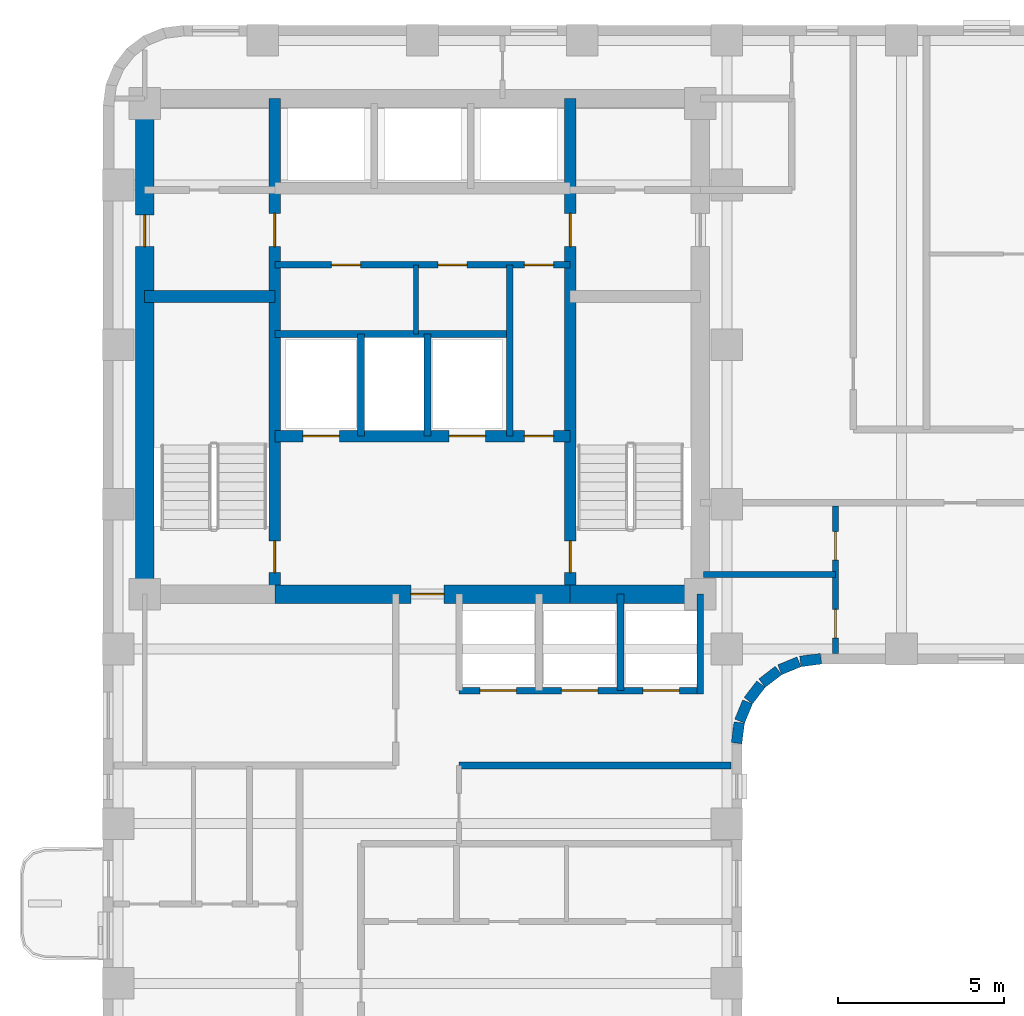
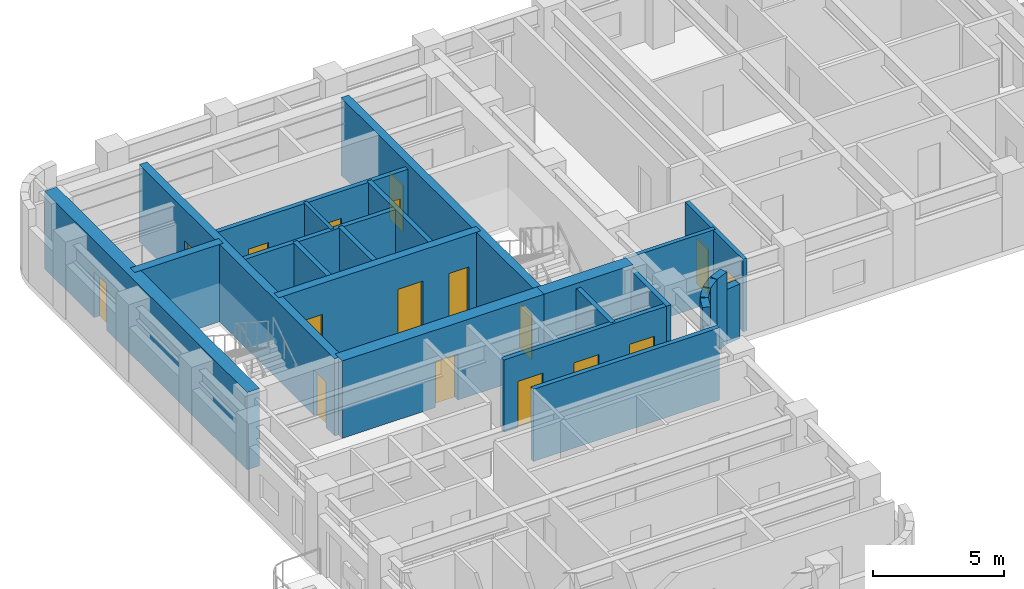
# One storey, part 4 of 9: 25 walls, 17 doors, 17 openings.
"""IFC4 building model written with IfcOpenShell, lengths in metres."""

from ifc_helpers import new_model, si_unit, direction, frame, frame_2d, origin, place, context, subcontext, project, spatial, rectangle, extrude, material, layer, layer_set, type_object, element, fill, save


model = new_model("IFC4")

# Units and contexts
model_context = context("Model", 3, precision=1e-05, world=origin(), true_north=direction((0.0, 1.0)))
body_context = subcontext(model_context, "Body", "Model", "MODEL_VIEW")
ifc_project = project(units=[si_unit("LENGTHUNIT", "METRE"), si_unit("AREAUNIT", "SQUARE_METRE"), si_unit("VOLUMEUNIT", "CUBIC_METRE"), si_unit("PLANEANGLEUNIT", "RADIAN"), si_unit("MASSUNIT", "GRAM", prefix="KILO")], contexts=[model_context])

# Site, building, storey
site_placement = place(None, origin())
site = spatial("IfcSite", under=ifc_project, at=site_placement, CompositionType="ELEMENT")
building_placement = place(site_placement, origin())
building = spatial("IfcBuilding", under=site, at=building_placement, Name="Orvandelia Arch Residences", CompositionType="ELEMENT")
storey_placement = place(building_placement, frame((0.0, 0.0, 128.800048828125)))
storey = spatial("IfcBuildingStorey", under=building, at=storey_placement, Name="L33", CompositionType="ELEMENT", Elevation=128.800048828125)

# Wall, openings, doors
ifc_material_1 = material(Name="Concrete C50/60", Category="concrete")
ifc_layer_1 = layer(ifc_material_1, 0.35009765625, Name="Concrete C50/60", Category="concrete")
ifc_layer_set_1 = layer_set([ifc_layer_1], Name="Concrete C50/60")
wall_type_1 = type_object("IfcWallType", Name="WL-CORE-350", PredefinedType="SHEAR", material=ifc_layer_set_1)
wall_1_placement = place(storey_placement, frame((9.9599609375, 30.89990234375, 0.0), z_axis=(0.0, 0.0, 1.0), x_axis=(0.0, 1.0, 0.0)))
wall_1 = element("IfcWall", 1, at=wall_1_placement, inside=storey, type_object=wall_type_1, Name="Core Shear Wall L33-WEB1", PredefinedType="SHEAR", context=body_context, shape_type="SweptSolid", body=[
    extrude(rectangle(XDim=14.900146484375, YDim=0.35009765625, at=frame_2d((7.4501953125, 0.0))), origin(), (0.0, 0.0, 1.0), 3.599853515625),
])
opening_1_placement = place(wall_1_placement, frame((0.64990234375, 0.0, 0.0)))
opening_1 = element("IfcOpeningElement", 2, at=opening_1_placement, cuts=wall_1, Name="Opening D7", PredefinedType="OPENING", context=body_context, shape_type="SweptSolid", body=[
    extrude(rectangle(XDim=0.949951171875, YDim=2.10009765625, at=frame_2d((0.47509765625, 1.050048828125))), frame((0.0, 0.18505859375, 0.0), z_axis=(0.0, -1.0, 0.0), x_axis=(1.0, 0.0, 0.0)), (0.0, 0.0, 1.0), 0.3701171875),
])
opening_2_placement = place(wall_1_placement, frame((10.449951171875, 0.0, 0.0)))
opening_2 = element("IfcOpeningElement", 3, at=opening_2_placement, cuts=wall_1, Name="Opening D6", PredefinedType="OPENING", context=body_context, shape_type="SweptSolid", body=[
    extrude(rectangle(XDim=1.0, YDim=2.14990234375, at=frame_2d((0.5, 1.074951171875))), frame((0.0, 0.18505859375, 0.0), z_axis=(0.0, -1.0, 0.0), x_axis=(1.0, 0.0, 0.0)), (0.0, 0.0, 1.0), 0.3701171875),
])
ifc_material_2 = material(Name="Smokeproof Painted Steel Fire Door", Category="steel")
door_type_1 = type_object("IfcDoorType", Name="DR-FD60-1000", OperationType="NOTDEFINED", PredefinedType="DOOR", material=ifc_material_2)
door_1_placement = place(opening_2_placement, origin())
door_1 = element("IfcDoor", 4, at=door_1_placement, inside=storey, type_object=door_type_1, Name="High-Rise Lift Hall West Vestibule Door L33", OperationType="SINGLE_SWING_LEFT", OverallHeight=2.14990234375, OverallWidth=1.0, PredefinedType="DOOR", context=body_context, shape_type="SweptSolid", body=[
    extrude(rectangle(XDim=1.0, YDim=2.14990234375, at=frame_2d((0.5, 1.074951171875))), frame((0.0, 0.02490234375, 0.0), z_axis=(0.0, -1.0, 0.0), x_axis=(1.0, 0.0, 0.0)), (0.0, 0.0, 1.0), 0.050048828125),
])
fill(opening_2, door_1)
ifc_material_3 = material(Name="Pressurised Stairwell Fire Door")
door_type_2 = type_object("IfcDoorType", Name="DR-STAIR-950", OperationType="NOTDEFINED", PredefinedType="DOOR", material=ifc_material_3)
door_2_placement = place(opening_1_placement, origin())
door_2 = element("IfcDoor", 5, at=door_2_placement, inside=storey, type_object=door_type_2, Name="Stairwell ST-1 Fire Door L33", OperationType="SINGLE_SWING_LEFT", OverallHeight=2.10009765625, OverallWidth=0.949951171875, PredefinedType="DOOR", context=body_context, shape_type="SweptSolid", body=[
    extrude(rectangle(XDim=0.949951171875, YDim=2.10009765625, at=frame_2d((0.47509765625, 1.050048828125))), frame((0.0, 0.02490234375, 0.0), z_axis=(0.0, -1.0, 0.0), x_axis=(1.0, 0.0, 0.0)), (0.0, 0.0, 1.0), 0.050048828125),
])
fill(opening_1, door_2)

wall_2_placement = place(storey_placement, frame((18.840087890625, 30.89990234375, 0.0), z_axis=(0.0, 0.0, 1.0), x_axis=(0.0, 1.0, 0.0)))
wall_2 = element("IfcWall", 6, at=wall_2_placement, inside=storey, type_object=wall_type_1, Name="Core Shear Wall L33-WEB2", PredefinedType="SHEAR", context=body_context, shape_type="SweptSolid", body=[
    extrude(rectangle(XDim=14.900146484375, YDim=0.35009765625, at=frame_2d((7.4501953125, 0.0))), origin(), (0.0, 0.0, 1.0), 3.599853515625),
])
opening_3_placement = place(wall_2_placement, frame((0.64990234375, 0.0, 0.0)))
opening_3 = element("IfcOpeningElement", 7, at=opening_3_placement, cuts=wall_2, Name="Opening D7", PredefinedType="OPENING", context=body_context, shape_type="SweptSolid", body=[
    extrude(rectangle(XDim=0.949951171875, YDim=2.10009765625, at=frame_2d((0.47509765625, 1.050048828125))), frame((0.0, 0.18505859375, 0.0), z_axis=(0.0, -1.0, 0.0), x_axis=(1.0, 0.0, 0.0)), (0.0, 0.0, 1.0), 0.3701171875),
])
opening_4_placement = place(wall_2_placement, frame((10.449951171875, 0.0, 0.0)))
opening_4 = element("IfcOpeningElement", 8, at=opening_4_placement, cuts=wall_2, Name="Opening D6", PredefinedType="OPENING", context=body_context, shape_type="SweptSolid", body=[
    extrude(rectangle(XDim=1.0, YDim=2.14990234375, at=frame_2d((0.5, 1.074951171875))), frame((0.0, 0.18505859375, 0.0), z_axis=(0.0, -1.0, 0.0), x_axis=(1.0, 0.0, 0.0)), (0.0, 0.0, 1.0), 0.3701171875),
])
door_3_placement = place(opening_4_placement, origin())
door_3 = element("IfcDoor", 9, at=door_3_placement, inside=storey, type_object=door_type_1, Name="High-Rise Lift Hall East Vestibule Door L33", OperationType="SINGLE_SWING_RIGHT", OverallHeight=2.14990234375, OverallWidth=1.0, PredefinedType="DOOR", context=body_context, shape_type="SweptSolid", body=[
    extrude(rectangle(XDim=1.0, YDim=2.14990234375, at=frame_2d((0.5, 1.074951171875))), frame((0.0, 0.02490234375, 0.0), z_axis=(0.0, -1.0, 0.0), x_axis=(1.0, 0.0, 0.0)), (0.0, 0.0, 1.0), 0.050048828125),
])
fill(opening_4, door_3)
door_4_placement = place(opening_3_placement, origin())
door_4 = element("IfcDoor", 10, at=door_4_placement, inside=storey, type_object=door_type_2, Name="Stairwell ST-2 Fire Door L33", OperationType="SINGLE_SWING_RIGHT", OverallHeight=2.10009765625, OverallWidth=0.949951171875, PredefinedType="DOOR", context=body_context, shape_type="SweptSolid", body=[
    extrude(rectangle(XDim=0.949951171875, YDim=2.10009765625, at=frame_2d((0.47509765625, 1.050048828125))), frame((0.0, 0.02490234375, 0.0), z_axis=(0.0, -1.0, 0.0), x_axis=(1.0, 0.0, 0.0)), (0.0, 0.0, 1.0), 0.050048828125),
])
fill(opening_3, door_4)

# Wall
wall_3_placement = place(storey_placement, frame((6.050048828125, 39.85009765625, 0.0), z_axis=(0.0, 0.0, 1.0), x_axis=(1.0, 0.0, 0.0)))
element("IfcWall", 11, at=wall_3_placement, inside=storey, type_object=wall_type_1, Name="Core Shear Wall L33-HZ1", PredefinedType="SHEAR", context=body_context, shape_type="SweptSolid", body=[
    extrude(rectangle(XDim=3.909912109375, YDim=0.35009765625, at=frame_2d((1.955078125, 0.0))), origin(), (0.0, 0.0, 1.0), 3.599853515625),
])

# Wall, openings, doors
wall_4_placement = place(storey_placement, frame((9.9599609375, 35.64990234375, 0.0), z_axis=(0.0, 0.0, 1.0), x_axis=(1.0, 0.0, 0.0)))
wall_4 = element("IfcWall", 12, at=wall_4_placement, inside=storey, type_object=wall_type_1, Name="Core Shear Wall L33-HZ3", PredefinedType="SHEAR", context=body_context, shape_type="SweptSolid", body=[
    extrude(rectangle(XDim=8.880126953125, YDim=0.35009765625, at=frame_2d((4.43994140625, 0.0))), origin(), (0.0, 0.0, 1.0), 3.599853515625),
])
opening_5_placement = place(wall_4_placement, frame((0.840087890625, 0.0, 0.0)))
opening_5 = element("IfcOpeningElement", 13, at=opening_5_placement, cuts=wall_4, Name="Opening FLD", PredefinedType="OPENING", context=body_context, shape_type="SweptSolid", body=[
    extrude(rectangle(XDim=1.10009765625, YDim=2.14990234375, at=frame_2d((0.550048828125, 1.074951171875))), frame((0.0, 0.18505859375, 0.0), z_axis=(0.0, -1.0, 0.0), x_axis=(1.0, 0.0, 0.0)), (0.0, 0.0, 1.0), 0.3701171875),
])
opening_6_placement = place(wall_4_placement, frame((5.239990234375, 0.0, 0.0)))
opening_6 = element("IfcOpeningElement", 14, at=opening_6_placement, cuts=wall_4, Name="Opening FLD", PredefinedType="OPENING", context=body_context, shape_type="SweptSolid", body=[
    extrude(rectangle(XDim=1.10009765625, YDim=2.14990234375, at=frame_2d((0.550048828125, 1.074951171875))), frame((0.0, 0.18505859375, 0.0), z_axis=(0.0, -1.0, 0.0), x_axis=(1.0, 0.0, 0.0)), (0.0, 0.0, 1.0), 0.3701171875),
])
opening_7_placement = place(wall_4_placement, frame((7.5, 0.0, 0.0)))
opening_7 = element("IfcOpeningElement", 15, at=opening_7_placement, cuts=wall_4, Name="Opening D5", PredefinedType="OPENING", context=body_context, shape_type="SweptSolid", body=[
    extrude(rectangle(XDim=0.8798828125, YDim=2.10009765625, at=frame_2d((0.43994140625, 1.050048828125))), frame((0.0, 0.18505859375, 0.0), z_axis=(0.0, -1.0, 0.0), x_axis=(1.0, 0.0, 0.0)), (0.0, 0.0, 1.0), 0.3701171875),
])
ifc_material_4 = material(Name="Firefighting Lift Stainless Sliding Door")
door_type_3 = type_object("IfcDoorType", Name="DR-FLFT-1100", OperationType="NOTDEFINED", PredefinedType="DOOR", material=ifc_material_4)
door_5_placement = place(opening_5_placement, origin())
door_5 = element("IfcDoor", 16, at=door_5_placement, inside=storey, type_object=door_type_3, Name="Firefighting Lift Landing Door FLD-FL1-L33", OperationType="SLIDING_TO_LEFT", OverallHeight=2.14990234375, OverallWidth=1.10009765625, PredefinedType="DOOR", context=body_context, shape_type="SweptSolid", body=[
    extrude(rectangle(XDim=1.10009765625, YDim=2.14990234375, at=frame_2d((0.550048828125, 1.074951171875))), frame((0.0, 0.02490234375, 0.0), z_axis=(0.0, -1.0, 0.0), x_axis=(1.0, 0.0, 0.0)), (0.0, 0.0, 1.0), 0.050048828125),
])
fill(opening_5, door_5)
door_6_placement = place(opening_6_placement, origin())
door_6 = element("IfcDoor", 17, at=door_6_placement, inside=storey, type_object=door_type_3, Name="Firefighting Lift Landing Door FLD-FL2-L33", OperationType="SLIDING_TO_RIGHT", OverallHeight=2.14990234375, OverallWidth=1.10009765625, PredefinedType="DOOR", context=body_context, shape_type="SweptSolid", body=[
    extrude(rectangle(XDim=1.10009765625, YDim=2.14990234375, at=frame_2d((0.550048828125, 1.074951171875))), frame((0.0, 0.02490234375, 0.0), z_axis=(0.0, -1.0, 0.0), x_axis=(1.0, 0.0, 0.0)), (0.0, 0.0, 1.0), 0.050048828125),
])
fill(opening_6, door_6)
ifc_material_5 = material(Name="Painted Galvanised Steel Service Door", Category="steel")
door_type_4 = type_object("IfcDoorType", Name="DR-SRV-880", OperationType="NOTDEFINED", PredefinedType="DOOR", material=ifc_material_5)
door_7_placement = place(opening_7_placement, origin())
door_7 = element("IfcDoor", 18, at=door_7_placement, inside=storey, type_object=door_type_4, Name="Core Stairway Passage South Fire Door L33", OperationType="SINGLE_SWING_LEFT", OverallHeight=2.10009765625, OverallWidth=0.8798828125, PredefinedType="DOOR", context=body_context, shape_type="SweptSolid", body=[
    extrude(rectangle(XDim=0.8798828125, YDim=2.10009765625, at=frame_2d((0.43994140625, 1.050048828125))), frame((0.0, 0.02490234375, 0.0), z_axis=(0.0, -1.0, 0.0), x_axis=(1.0, 0.0, 0.0)), (0.0, 0.0, 1.0), 0.050048828125),
])
fill(opening_7, door_7)

# Wall, opening, door
ifc_material_6 = material(Name="Concrete C60/75", Category="concrete")
ifc_layer_2 = layer(ifc_material_6, 0.550048828125, Name="Concrete C60/75", Category="concrete")
ifc_layer_set_2 = layer_set([ifc_layer_2], Name="Concrete C60/75")
wall_type_2 = type_object("IfcWallType", Name="WL-CORE-550", PredefinedType="SHEAR", material=ifc_layer_set_2)
wall_5_placement = place(storey_placement, frame((6.050048828125, 30.625, 0.0), z_axis=(0.0, 0.0, 1.0), x_axis=(0.0, 1.0, 0.0)))
wall_5 = element("IfcWall", 19, at=wall_5_placement, inside=storey, type_object=wall_type_2, Name="Core Shear Wall L33-W", PredefinedType="SHEAR", context=body_context, shape_type="SweptSolid", body=[
    extrude(rectangle(XDim=15.449951171875, YDim=0.550048828125, at=frame_2d((7.72509765625, 0.0))), origin(), (0.0, 0.0, 1.0), 3.599853515625),
])
opening_8_placement = place(wall_5_placement, frame((10.72509765625, 0.0, 0.0)))
opening_8 = element("IfcOpeningElement", 20, at=opening_8_placement, cuts=wall_5, Name="Opening D2", PredefinedType="OPENING", context=body_context, shape_type="SweptSolid", body=[
    extrude(rectangle(XDim=0.949951171875, YDim=2.14990234375, at=frame_2d((0.47509765625, 1.074951171875))), frame((0.0, 0.28515625, 0.0), z_axis=(0.0, -1.0, 0.0), x_axis=(1.0, 0.0, 0.0)), (0.0, 0.0, 1.0), 0.570068359375),
])
ifc_material_7 = material(Name="Solid-Core Timber Interior Fire Door", Category="wood")
door_type_5 = type_object("IfcDoorType", Name="DR-APT-950", OperationType="NOTDEFINED", PredefinedType="DOOR", material=ifc_material_7)
door_8_placement = place(opening_8_placement, origin())
door_8 = element("IfcDoor", 21, at=door_8_placement, inside=storey, type_object=door_type_5, Name="West Viewing Study Door L33", OperationType="SINGLE_SWING_RIGHT", OverallHeight=2.14990234375, OverallWidth=0.949951171875, PredefinedType="DOOR", context=body_context, shape_type="SweptSolid", body=[
    extrude(rectangle(XDim=0.949951171875, YDim=2.14990234375, at=frame_2d((0.47509765625, 1.074951171875))), frame((0.0, 0.02490234375, 0.0), z_axis=(0.0, -1.0, 0.0), x_axis=(1.0, 0.0, 0.0)), (0.0, 0.0, 1.0), 0.050048828125),
])
fill(opening_8, door_8)

wall_6_placement = place(storey_placement, frame((9.9599609375, 30.89990234375, 0.0), z_axis=(0.0, 0.0, 1.0), x_axis=(1.0, 0.0, 0.0)))
wall_6 = element("IfcWall", 22, at=wall_6_placement, inside=storey, type_object=wall_type_2, Name="Core Shear Wall L33-SM", PredefinedType="SHEAR", context=body_context, shape_type="SweptSolid", body=[
    extrude(rectangle(XDim=8.880126953125, YDim=0.550048828125, at=frame_2d((4.43994140625, 0.0))), origin(), (0.0, 0.0, 1.0), 3.599853515625),
])
opening_9_placement = place(wall_6_placement, frame((4.090087890625, 0.0, 0.0)))
opening_9 = element("IfcOpeningElement", 23, at=opening_9_placement, cuts=wall_6, Name="Opening D6", PredefinedType="OPENING", context=body_context, shape_type="SweptSolid", body=[
    extrude(rectangle(XDim=1.0, YDim=2.14990234375, at=frame_2d((0.5, 1.074951171875))), frame((0.0, 0.28515625, 0.0), z_axis=(0.0, -1.0, 0.0), x_axis=(1.0, 0.0, 0.0)), (0.0, 0.0, 1.0), 0.570068359375),
])
door_9_placement = place(opening_9_placement, origin())
door_9 = element("IfcDoor", 24, at=door_9_placement, inside=storey, type_object=door_type_1, Name="Firefighting Lobby Smokeproof Door L33", OperationType="SINGLE_SWING_LEFT", OverallHeight=2.14990234375, OverallWidth=1.0, PredefinedType="DOOR", context=body_context, shape_type="SweptSolid", body=[
    extrude(rectangle(XDim=1.0, YDim=2.14990234375, at=frame_2d((0.5, 1.074951171875))), frame((0.0, 0.02490234375, 0.0), z_axis=(0.0, -1.0, 0.0), x_axis=(1.0, 0.0, 0.0)), (0.0, 0.0, 1.0), 0.050048828125),
])
fill(opening_9, door_9)

# Walls
wall_7_placement = place(storey_placement, frame((18.840087890625, 30.89990234375, 0.0), z_axis=(0.0, 0.0, 1.0), x_axis=(1.0, 0.0, 0.0)))
element("IfcWall", 25, at=wall_7_placement, inside=storey, type_object=wall_type_2, Name="Core Shear Wall L33-SE", PredefinedType="SHEAR", context=body_context, shape_type="SweptSolid", body=[
    extrude(rectangle(XDim=3.909912109375, YDim=0.550048828125, at=frame_2d((1.955078125, 0.0))), origin(), (0.0, 0.0, 1.0), 3.599853515625),
])
ifc_material_8 = material(Name="Fire-Rated Corridor Partition")
ifc_layer_3 = layer(ifc_material_8, 0.199951171875, Name="Fire-Rated Corridor Partition")
ifc_layer_set_3 = layer_set([ifc_layer_3], Name="Fire-Rated Corridor Partition")
wall_type_3 = type_object("IfcWallType", Name="WL-CORR-200", PredefinedType="PARTITIONING", material=ifc_layer_set_3)
wall_8_placement = place(storey_placement, frame((15.5, 25.75, 0.0), z_axis=(0.0, 0.0, 1.0), x_axis=(1.0, 0.0, 0.0)))
element("IfcWall", 26, at=wall_8_placement, inside=storey, type_object=wall_type_3, Name="Interior Partition Wall WL-L33-WLNK-NE2", PredefinedType="PARTITIONING", context=body_context, shape_type="SweptSolid", body=[
    extrude(rectangle(XDim=8.179931640625, YDim=0.199951171875, at=frame_2d((4.08984375, 0.0))), origin(), (0.0, 0.0, 1.0), 3.35986328125),
])
ifc_material_9 = material(Name="Precast concrete C40/50", Category="concrete")
ifc_layer_4 = layer(ifc_material_9, 0.320068359375, Name="Precast concrete C40/50", Category="concrete")
ifc_layer_set_4 = layer_set([ifc_layer_4], Name="Precast concrete C40/50")
wall_type_4 = type_object("IfcWallType", Name="WL-EXT-STONE-320", PredefinedType="STANDARD", material=ifc_layer_set_4)
wall_9_placement = place(storey_placement, frame((26.379150390625, 28.95849609375, 0.0), z_axis=(0.0, 0.0, 1.0), x_axis=(-0.991447664465, -0.130504898859, 0.0)))
element("IfcWall", 27, at=wall_9_placement, inside=storey, type_object=wall_type_4, Name="Coral-Limestone Precast Facade Wall L33-022", PredefinedType="STANDARD", context=body_context, shape_type="SweptSolid", body=[
    extrude(rectangle(XDim=0.626708984375, YDim=0.320068359375, at=frame_2d((0.3134765625, 0.0))), origin(), (0.0, 0.0, 1.0), 2.5400390625),
])
wall_10_placement = place(storey_placement, frame((25.717529296875, 28.865966796875, 0.0), z_axis=(0.0, 0.0, 1.0), x_axis=(-0.923836271867, -0.382787856107, 0.0)))
element("IfcWall", 28, at=wall_10_placement, inside=storey, type_object=wall_type_4, Name="Coral-Limestone Precast Facade Wall L33-023", PredefinedType="STANDARD", context=body_context, shape_type="SweptSolid", body=[
    extrude(rectangle(XDim=0.626220703125, YDim=0.320068359375, at=frame_2d((0.31298828125, 0.0))), origin(), (0.0, 0.0, 1.0), 3.35986328125),
])
for number, where, z_axis, x_axis, name in (
    (29, (25.1025390625, 28.60546875, 0.0), (0.0, 0.0, 1.0), (-0.793405610854, -0.608693302629, 0.0), "Coral-Limestone Precast Facade Wall L33-024"),
    (30, (24.575927734375, 28.194580078125, 0.0), (0.0, 0.0, 1.0), (-0.608693302629, -0.793405610854, 0.0), "Coral-Limestone Precast Facade Wall L33-025"),
):
    element("IfcWall", number, at=place(storey_placement, frame(where, z_axis=z_axis, x_axis=x_axis)), inside=storey, type_object=wall_type_4, Name=name, PredefinedType="STANDARD", context=body_context, shape_type="SweptSolid", body=[
        extrude(rectangle(XDim=0.62646484375, YDim=0.320068359375, at=frame_2d((0.313232421875, 0.0))), origin(), (0.0, 0.0, 1.0), 3.35986328125),
    ])
wall_11_placement = place(storey_placement, frame((24.173583984375, 27.6611328125, 0.0), z_axis=(0.0, 0.0, 1.0), x_axis=(-0.382455093999, -0.923974080304, 0.0)))
element("IfcWall", 31, at=wall_11_placement, inside=storey, type_object=wall_type_4, Name="Coral-Limestone Precast Facade Wall L33-026", PredefinedType="STANDARD", context=body_context, shape_type="SweptSolid", body=[
    extrude(rectangle(XDim=0.626220703125, YDim=0.320068359375, at=frame_2d((0.31298828125, 0.0))), origin(), (0.0, 0.0, 1.0), 3.35986328125),
])
wall_12_placement = place(storey_placement, frame((23.923095703125, 27.0419921875, 0.0), z_axis=(0.0, 0.0, 1.0), x_axis=(-0.130555323746, -0.9914410257, 0.0)))
element("IfcWall", 32, at=wall_12_placement, inside=storey, type_object=wall_type_4, Name="Coral-Limestone Precast Facade Wall L33-027", PredefinedType="STANDARD", context=body_context, shape_type="SweptSolid", body=[
    extrude(rectangle(XDim=0.62646484375, YDim=0.320068359375, at=frame_2d((0.313232421875, 0.0))), origin(), (0.0, 0.0, 1.0), 2.5400390625),
])
ifc_material_10 = material(Name="Acoustic Gypsum Stud Partition")
ifc_layer_5 = layer(ifc_material_10, 0.14990234375, Name="Acoustic Gypsum Stud Partition")
ifc_layer_set_5 = layer_set([ifc_layer_5], Name="Acoustic Gypsum Stud Partition")
wall_type_5 = type_object("IfcWallType", Name="WL-PART-150", PredefinedType="PARTITIONING", material=ifc_layer_set_5)
wall_13_placement = place(storey_placement, frame((14.199951171875, 38.719970703125, 0.0), z_axis=(0.0, 0.0, 1.0), x_axis=(0.0, 1.0, 0.0)))
element("IfcWall", 33, at=wall_13_placement, inside=storey, type_object=wall_type_5, Name="Interior Partition Wall WL-L33-CSA-1", PredefinedType="PARTITIONING", context=body_context, shape_type="SweptSolid", body=[
    extrude(rectangle(XDim=2.080078125, YDim=0.14990234375, at=frame_2d((1.0400390625, 0.0))), origin(), (0.0, 0.0, 1.0), 3.35986328125),
])
ifc_material_11 = material(Name="Fire-Rated Shaft Enclosure Wall")
ifc_layer_6 = layer(ifc_material_11, 0.199951171875, Name="Fire-Rated Shaft Enclosure Wall")
ifc_layer_set_6 = layer_set([ifc_layer_6], Name="Fire-Rated Shaft Enclosure Wall")
wall_type_6 = type_object("IfcWallType", Name="WL-SHAFT-200", PredefinedType="POLYGONAL", material=ifc_layer_set_6)
wall_14_placement = place(storey_placement, frame((9.9599609375, 38.719970703125, 0.0), z_axis=(0.0, 0.0, 1.0), x_axis=(1.0, 0.0, 0.0)))
element("IfcWall", 34, at=wall_14_placement, inside=storey, type_object=wall_type_6, Name="Interior Partition Wall WL-L33-FLN", PredefinedType="POLYGONAL", context=body_context, shape_type="SweptSolid", body=[
    extrude(rectangle(XDim=7.06005859375, YDim=0.199951171875, at=frame_2d((3.530029296875, 0.0))), origin(), (0.0, 0.0, 1.0), 3.35986328125),
])
for number, where, z_axis, x_axis, name in (
    (35, (12.550048828125, 35.64990234375, 0.0), (0.0, 0.0, 1.0), (0.0, 1.0, 0.0), "Interior Partition Wall WL-L33-FLM1"),
    (36, (14.550048828125, 35.64990234375, 0.0), (0.0, 0.0, 1.0), (0.0, 1.0, 0.0), "Interior Partition Wall WL-L33-FLM2"),
):
    element("IfcWall", number, at=place(storey_placement, frame(where, z_axis=z_axis, x_axis=x_axis)), inside=storey, type_object=wall_type_6, Name=name, PredefinedType="POLYGONAL", context=body_context, shape_type="SweptSolid", body=[
        extrude(rectangle(XDim=3.070068359375, YDim=0.199951171875, at=frame_2d((1.53515625, 0.0))), origin(), (0.0, 0.0, 1.0), 3.35986328125),
    ])
wall_15_placement = place(storey_placement, frame((17.02001953125, 35.64990234375, 0.0), z_axis=(0.0, 0.0, 1.0), x_axis=(0.0, 1.0, 0.0)))
element("IfcWall", 37, at=wall_15_placement, inside=storey, type_object=wall_type_6, Name="Interior Partition Wall WL-L33-FLM3", PredefinedType="POLYGONAL", context=body_context, shape_type="SweptSolid", body=[
    extrude(rectangle(XDim=5.150146484375, YDim=0.199951171875, at=frame_2d((2.5751953125, 0.0))), origin(), (0.0, 0.0, 1.0), 3.35986328125),
])

# Wall, openings, doors
wall_16_placement = place(storey_placement, frame((9.9599609375, 40.800048828125, 0.0), z_axis=(0.0, 0.0, 1.0), x_axis=(1.0, 0.0, 0.0)))
wall_16 = element("IfcWall", 38, at=wall_16_placement, inside=storey, type_object=wall_type_6, Name="Interior Partition Wall WL-L33-HLH-S", PredefinedType="POLYGONAL", context=body_context, shape_type="SweptSolid", body=[
    extrude(rectangle(XDim=8.880126953125, YDim=0.199951171875, at=frame_2d((4.43994140625, 0.0))), origin(), (0.0, 0.0, 1.0), 3.35986328125),
])
opening_10_placement = place(wall_16_placement, frame((7.5, 0.0, 0.0)))
opening_10 = element("IfcOpeningElement", 39, at=opening_10_placement, cuts=wall_16, Name="Opening D5", PredefinedType="OPENING", context=body_context, shape_type="SweptSolid", body=[
    extrude(rectangle(XDim=0.8798828125, YDim=2.10009765625, at=frame_2d((0.43994140625, 1.050048828125))), frame((0.0, 0.10986328125, 0.0), z_axis=(0.0, -1.0, 0.0), x_axis=(1.0, 0.0, 0.0)), (0.0, 0.0, 1.0), 0.219970703125),
])
opening_11_placement = place(wall_16_placement, frame((1.699951171875, 0.0, 0.0)))
opening_11 = element("IfcOpeningElement", 40, at=opening_11_placement, cuts=wall_16, Name="Opening D5", PredefinedType="OPENING", context=body_context, shape_type="SweptSolid", body=[
    extrude(rectangle(XDim=0.8798828125, YDim=2.10009765625, at=frame_2d((0.43994140625, 1.050048828125))), frame((0.0, 0.10986328125, 0.0), z_axis=(0.0, -1.0, 0.0), x_axis=(1.0, 0.0, 0.0)), (0.0, 0.0, 1.0), 0.219970703125),
])
opening_12_placement = place(wall_16_placement, frame((4.89990234375, 0.0, 0.0)))
opening_12 = element("IfcOpeningElement", 41, at=opening_12_placement, cuts=wall_16, Name="Opening D5", PredefinedType="OPENING", context=body_context, shape_type="SweptSolid", body=[
    extrude(rectangle(XDim=0.8798828125, YDim=2.10009765625, at=frame_2d((0.43994140625, 1.050048828125))), frame((0.0, 0.10986328125, 0.0), z_axis=(0.0, -1.0, 0.0), x_axis=(1.0, 0.0, 0.0)), (0.0, 0.0, 1.0), 0.219970703125),
])
door_10_placement = place(opening_10_placement, origin())
door_10 = element("IfcDoor", 42, at=door_10_placement, inside=storey, type_object=door_type_4, Name="Core Stairway Passage North Fire Door L33", OperationType="SINGLE_SWING_RIGHT", OverallHeight=2.10009765625, OverallWidth=0.8798828125, PredefinedType="DOOR", context=body_context, shape_type="SweptSolid", body=[
    extrude(rectangle(XDim=0.8798828125, YDim=2.10009765625, at=frame_2d((0.43994140625, 1.050048828125))), frame((0.0, 0.02490234375, 0.0), z_axis=(0.0, -1.0, 0.0), x_axis=(1.0, 0.0, 0.0)), (0.0, 0.0, 1.0), 0.050048828125),
])
fill(opening_10, door_10)
door_11_placement = place(opening_11_placement, origin())
door_11 = element("IfcDoor", 43, at=door_11_placement, inside=storey, type_object=door_type_4, Name="DR-L33-CSA1", OperationType="SINGLE_SWING_LEFT", OverallHeight=2.10009765625, OverallWidth=0.8798828125, PredefinedType="DOOR", context=body_context, shape_type="SweptSolid", body=[
    extrude(rectangle(XDim=0.8798828125, YDim=2.10009765625, at=frame_2d((0.43994140625, 1.050048828125))), frame((0.0, 0.02490234375, 0.0), z_axis=(0.0, -1.0, 0.0), x_axis=(1.0, 0.0, 0.0)), (0.0, 0.0, 1.0), 0.050048828125),
])
fill(opening_11, door_11)
door_12_placement = place(opening_12_placement, origin())
door_12 = element("IfcDoor", 44, at=door_12_placement, inside=storey, type_object=door_type_4, Name="DR-L33-CSA2", OperationType="SINGLE_SWING_RIGHT", OverallHeight=2.10009765625, OverallWidth=0.8798828125, PredefinedType="DOOR", context=body_context, shape_type="SweptSolid", body=[
    extrude(rectangle(XDim=0.8798828125, YDim=2.10009765625, at=frame_2d((0.43994140625, 1.050048828125))), frame((0.0, 0.02490234375, 0.0), z_axis=(0.0, -1.0, 0.0), x_axis=(1.0, 0.0, 0.0)), (0.0, 0.0, 1.0), 0.050048828125),
])
fill(opening_12, door_12)

wall_17_placement = place(storey_placement, frame((15.5, 28.0, 0.0), z_axis=(0.0, 0.0, 1.0), x_axis=(1.0, 0.0, 0.0)))
wall_17 = element("IfcWall", 45, at=wall_17_placement, inside=storey, type_object=wall_type_6, Name="Interior Partition Wall WL-L33-BNKM-S", PredefinedType="POLYGONAL", context=body_context, shape_type="SweptSolid", body=[
    extrude(rectangle(XDim=7.25, YDim=0.199951171875, at=frame_2d((3.625, 0.0))), origin(), (0.0, 0.0, 1.0), 3.35986328125),
])
opening_13_placement = place(wall_17_placement, frame((0.625, 0.0, 0.0)))
opening_13 = element("IfcOpeningElement", 46, at=opening_13_placement, cuts=wall_17, Name="Opening LD", PredefinedType="OPENING", context=body_context, shape_type="SweptSolid", body=[
    extrude(rectangle(XDim=1.10009765625, YDim=2.14990234375, at=frame_2d((0.550048828125, 1.074951171875))), frame((0.0, 0.10986328125, 0.0), z_axis=(0.0, -1.0, 0.0), x_axis=(1.0, 0.0, 0.0)), (0.0, 0.0, 1.0), 0.219970703125),
])
opening_14_placement = place(wall_17_placement, frame((3.074951171875, 0.0, 0.0)))
opening_14 = element("IfcOpeningElement", 47, at=opening_14_placement, cuts=wall_17, Name="Opening LD", PredefinedType="OPENING", context=body_context, shape_type="SweptSolid", body=[
    extrude(rectangle(XDim=1.10009765625, YDim=2.14990234375, at=frame_2d((0.550048828125, 1.074951171875))), frame((0.0, 0.10986328125, 0.0), z_axis=(0.0, -1.0, 0.0), x_axis=(1.0, 0.0, 0.0)), (0.0, 0.0, 1.0), 0.219970703125),
])
opening_15_placement = place(wall_17_placement, frame((5.52490234375, 0.0, 0.0)))
opening_15 = element("IfcOpeningElement", 48, at=opening_15_placement, cuts=wall_17, Name="Opening LD", PredefinedType="OPENING", context=body_context, shape_type="SweptSolid", body=[
    extrude(rectangle(XDim=1.10009765625, YDim=2.14990234375, at=frame_2d((0.550048828125, 1.074951171875))), frame((0.0, 0.10986328125, 0.0), z_axis=(0.0, -1.0, 0.0), x_axis=(1.0, 0.0, 0.0)), (0.0, 0.0, 1.0), 0.219970703125),
])
ifc_material_12 = material(Name="Brushed Stainless Steel Sliding Lift Door", Category="steel")
door_type_6 = type_object("IfcDoorType", Name="DR-LIFT-1100", OperationType="NOTDEFINED", PredefinedType="DOOR", material=ifc_material_12)
door_13_placement = place(opening_13_placement, origin())
door_13 = element("IfcDoor", 49, at=door_13_placement, inside=storey, type_object=door_type_6, Name="Lift Landing Door LD-PM1", OperationType="SLIDING_TO_LEFT", OverallHeight=2.14990234375, OverallWidth=1.10009765625, PredefinedType="DOOR", context=body_context, shape_type="SweptSolid", body=[
    extrude(rectangle(XDim=1.10009765625, YDim=2.14990234375, at=frame_2d((0.550048828125, 1.074951171875))), frame((0.0, 0.02490234375, 0.0), z_axis=(0.0, -1.0, 0.0), x_axis=(1.0, 0.0, 0.0)), (0.0, 0.0, 1.0), 0.050048828125),
])
fill(opening_13, door_13)
door_14_placement = place(opening_14_placement, origin())
door_14 = element("IfcDoor", 50, at=door_14_placement, inside=storey, type_object=door_type_6, Name="Lift Landing Door LD-PM2", OperationType="SLIDING_TO_RIGHT", OverallHeight=2.14990234375, OverallWidth=1.10009765625, PredefinedType="DOOR", context=body_context, shape_type="SweptSolid", body=[
    extrude(rectangle(XDim=1.10009765625, YDim=2.14990234375, at=frame_2d((0.550048828125, 1.074951171875))), frame((0.0, 0.02490234375, 0.0), z_axis=(0.0, -1.0, 0.0), x_axis=(1.0, 0.0, 0.0)), (0.0, 0.0, 1.0), 0.050048828125),
])
fill(opening_14, door_14)
door_15_placement = place(opening_15_placement, origin())
door_15 = element("IfcDoor", 51, at=door_15_placement, inside=storey, type_object=door_type_6, Name="Lift Landing Door LD-PM3", OperationType="SLIDING_TO_LEFT", OverallHeight=2.14990234375, OverallWidth=1.10009765625, PredefinedType="DOOR", context=body_context, shape_type="SweptSolid", body=[
    extrude(rectangle(XDim=1.10009765625, YDim=2.14990234375, at=frame_2d((0.550048828125, 1.074951171875))), frame((0.0, 0.02490234375, 0.0), z_axis=(0.0, -1.0, 0.0), x_axis=(1.0, 0.0, 0.0)), (0.0, 0.0, 1.0), 0.050048828125),
])
fill(opening_15, door_15)

# Walls
wall_18_placement = place(storey_placement, frame((22.75, 27.89990234375, 0.0), z_axis=(0.0, 0.0, 1.0), x_axis=(0.0, 1.0, 0.0)))
element("IfcWall", 52, at=wall_18_placement, inside=storey, type_object=wall_type_6, Name="Interior Partition Wall WL-L33-BNKM-E", PredefinedType="POLYGONAL", context=body_context, shape_type="SweptSolid", body=[
    extrude(rectangle(XDim=3.0, YDim=0.199951171875, at=frame_2d((1.5, 0.0))), origin(), (0.0, 0.0, 1.0), 3.35986328125),
])
wall_19_placement = place(storey_placement, frame((20.35009765625, 28.0, 0.0), z_axis=(0.0, 0.0, 1.0), x_axis=(0.0, 1.0, 0.0)))
element("IfcWall", 53, at=wall_19_placement, inside=storey, type_object=wall_type_6, Name="Interior Partition Wall WL-L33-BNKMD-2035", PredefinedType="POLYGONAL", context=body_context, shape_type="SweptSolid", body=[
    extrude(rectangle(XDim=2.89990234375, YDim=0.199951171875, at=frame_2d((1.449951171875, 0.0))), origin(), (0.0, 0.0, 1.0), 3.35986328125),
])

# Wall, openings, doors
ifc_material_13 = material(Name="Moisture-Resistant Plumbing Wall")
ifc_layer_7 = layer(ifc_material_13, 0.179931640625, Name="Moisture-Resistant Plumbing Wall")
ifc_layer_set_7 = layer_set([ifc_layer_7], Name="Moisture-Resistant Plumbing Wall")
wall_type_7 = type_object("IfcWallType", Name="WL-WET-180", PredefinedType="PLUMBINGWALL", material=ifc_layer_set_7)
wall_20_placement = place(storey_placement, frame((26.81396484375, 29.1201171875, 0.0), z_axis=(0.0, 0.0, 1.0), x_axis=(0.0, 1.0, 0.0)))
wall_20 = element("IfcWall", 54, at=wall_20_placement, inside=storey, type_object=wall_type_7, Name="Interior Partition Wall WL-L33-U05-VT", PredefinedType="PLUMBINGWALL", context=body_context, shape_type="SweptSolid", body=[
    extrude(rectangle(XDim=4.429931640625, YDim=0.179931640625, at=frame_2d((2.21484375, 0.0))), origin(), (0.0, 0.0, 1.0), 3.35986328125),
])
opening_16_placement = place(wall_20_placement, frame((0.458740234375, 0.0, 0.0)))
opening_16 = element("IfcOpeningElement", 55, at=opening_16_placement, cuts=wall_20, Name="Opening D4", PredefinedType="OPENING", context=body_context, shape_type="SweptSolid", body=[
    extrude(rectangle(XDim=0.860107421875, YDim=2.10009765625, at=frame_2d((0.43017578125, 1.050048828125))), frame((0.0, 0.10009765625, 0.0), z_axis=(0.0, -1.0, 0.0), x_axis=(1.0, 0.0, 0.0)), (0.0, 0.0, 1.0), 0.199951171875),
])
opening_17_placement = place(wall_20_placement, frame((2.79931640625, 0.0, 0.0)))
opening_17 = element("IfcOpeningElement", 56, at=opening_17_placement, cuts=wall_20, Name="Opening D4", PredefinedType="OPENING", context=body_context, shape_type="SweptSolid", body=[
    extrude(rectangle(XDim=0.860107421875, YDim=2.10009765625, at=frame_2d((0.43017578125, 1.050048828125))), frame((0.0, 0.10009765625, 0.0), z_axis=(0.0, -1.0, 0.0), x_axis=(1.0, 0.0, 0.0)), (0.0, 0.0, 1.0), 0.199951171875),
])
ifc_material_14 = material(Name="Moisture-Sealed Timber Bathroom Door", Category="wood")
door_type_7 = type_object("IfcDoorType", Name="DR-WET-900", OperationType="NOTDEFINED", PredefinedType="DOOR", material=ifc_material_14)
door_16_placement = place(opening_16_placement, origin())
door_16 = element("IfcDoor", 57, at=door_16_placement, inside=storey, type_object=door_type_7, Name="DR-L33-U05-KIT", OperationType="SINGLE_SWING_LEFT", OverallHeight=2.10009765625, OverallWidth=0.860107421875, PredefinedType="DOOR", context=body_context, shape_type="SweptSolid", body=[
    extrude(rectangle(XDim=0.860107421875, YDim=2.10009765625, at=frame_2d((0.43017578125, 1.050048828125))), frame((0.0, 0.02490234375, 0.0), z_axis=(0.0, -1.0, 0.0), x_axis=(1.0, 0.0, 0.0)), (0.0, 0.0, 1.0), 0.050048828125),
])
fill(opening_16, door_16)
door_17_placement = place(opening_17_placement, origin())
door_17 = element("IfcDoor", 58, at=door_17_placement, inside=storey, type_object=door_type_7, Name="DR-L33-U05-BTH", OperationType="SINGLE_SWING_RIGHT", OverallHeight=2.10009765625, OverallWidth=0.860107421875, PredefinedType="DOOR", context=body_context, shape_type="SweptSolid", body=[
    extrude(rectangle(XDim=0.860107421875, YDim=2.10009765625, at=frame_2d((0.43017578125, 1.050048828125))), frame((0.0, 0.02490234375, 0.0), z_axis=(0.0, -1.0, 0.0), x_axis=(1.0, 0.0, 0.0)), (0.0, 0.0, 1.0), 0.050048828125),
])
fill(opening_17, door_17)

# Wall
wall_21_placement = place(storey_placement, frame((22.85009765625, 31.485107421875, 0.0), z_axis=(0.0, 0.0, 1.0), x_axis=(1.0, 0.0, 0.0)))
element("IfcWall", 59, at=wall_21_placement, inside=storey, type_object=wall_type_7, Name="Interior Partition Wall WL-L33-U05-H1", PredefinedType="PLUMBINGWALL", context=body_context, shape_type="SweptSolid", body=[
    extrude(rectangle(XDim=3.9638671875, YDim=0.179931640625, at=frame_2d((1.98193359375, 0.0))), origin(), (0.0, 0.0, 1.0), 3.35986328125),
])

save(model, "model.ifc")
